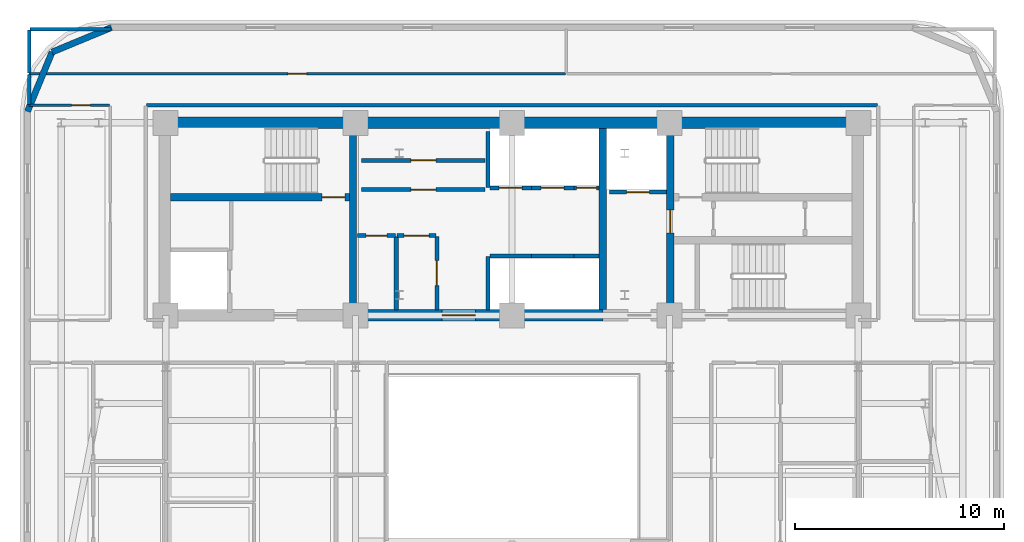
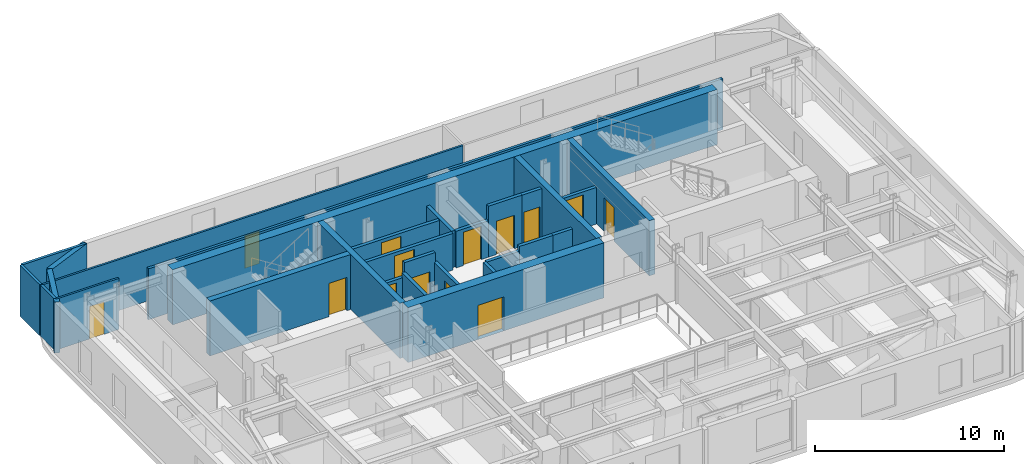
# One storey, part 8 of 13: 29 walls, 14 doors, 14 openings.
"""IFC4 building model written with IfcOpenShell, lengths in metres."""

from ifc_helpers import new_model, si_unit, direction, frame, frame_2d, origin, place, context, subcontext, project, spatial, rectangle, extrude, material, layer, layer_set, type_object, element, fill, save


model = new_model("IFC4")

# Units and contexts
model_context = context("Model", 3, precision=1e-05, world=origin(), true_north=direction((0.0, 1.0)))
body_context = subcontext(model_context, "Body", "Model", "MODEL_VIEW")
ifc_project = project(units=[si_unit("LENGTHUNIT", "METRE"), si_unit("AREAUNIT", "SQUARE_METRE"), si_unit("VOLUMEUNIT", "CUBIC_METRE"), si_unit("PLANEANGLEUNIT", "RADIAN"), si_unit("MASSUNIT", "GRAM", prefix="KILO")], contexts=[model_context])

# Site, building, storey
site_placement = place(None, origin())
site = spatial("IfcSite", under=ifc_project, at=site_placement, CompositionType="ELEMENT")
building_placement = place(site_placement, origin())
building = spatial("IfcBuilding", under=site, at=building_placement, Name="Zarnavel Station Tower", CompositionType="ELEMENT")
storey_placement = place(building_placement, frame((0.0, 0.0, 141.25)))
storey = spatial("IfcBuildingStorey", under=building, at=storey_placement, Name="L38", CompositionType="ELEMENT", Elevation=141.25)

# Walls
ifc_material_1 = material(Name="Concrete C50/60", Category="concrete")
ifc_layer_1 = layer(ifc_material_1, 0.35009765625)
ifc_layer_set_1 = layer_set([ifc_layer_1], Name="CW_350")
wall_type_1 = type_object("IfcWallType", Name="CW_350", PredefinedType="SHEAR", material=ifc_layer_set_1)
for number, where, z_axis, x_axis, name in (
    (1, (21.179931640625, 28.094970703125, 0.0), (0.0, 0.0, 1.0), (0.0, 1.0, 0.0), "L38 Rear Core Shear Wall DIV-W"),
    (2, (33.14990234375, 28.094970703125, 0.0), (0.0, 0.0, 1.0), (0.0, 1.0, 0.0), "L38 Rear Core Shear Wall DIV-E"),
):
    element("IfcWall", number, at=place(storey_placement, frame(where, z_axis=z_axis, x_axis=x_axis)), inside=storey, type_object=wall_type_1, Name=name, PredefinedType="SHEAR", context=body_context, shape_type="SweptSolid", body=[
        extrude(rectangle(XDim=8.679931640625, YDim=0.35009765625, at=frame_2d((4.33984375, 0.0))), origin(), (0.0, 0.0, 1.0), 3.550048828125),
    ])

# Wall, opening, door
wall_1_placement = place(storey_placement, frame((36.3798828125, 28.094970703125, 0.0), z_axis=(0.0, 0.0, 1.0), x_axis=(0.0, 1.0, 0.0)))
wall_1 = element("IfcWall", 3, at=wall_1_placement, inside=storey, type_object=wall_type_1, Name="L38 Rear Core Shear Wall DIV-S2", PredefinedType="SHEAR", context=body_context, shape_type="SweptSolid", body=[
    extrude(rectangle(XDim=8.679931640625, YDim=0.35009765625, at=frame_2d((4.33984375, 0.0))), origin(), (0.0, 0.0, 1.0), 3.550048828125),
])
opening_1_placement = place(wall_1_placement, frame((3.68505859375, 0.0, 0.0)))
opening_1 = element("IfcOpeningElement", 4, at=opening_1_placement, cuts=wall_1, Name="Opening FD01", PredefinedType="OPENING", context=body_context, shape_type="SweptSolid", body=[
    extrude(rectangle(XDim=1.10009765625, YDim=2.14990234375, at=frame_2d((0.550048828125, 1.074951171875))), frame((0.0, 0.18505859375, 0.0), z_axis=(0.0, -1.0, 0.0), x_axis=(1.0, 0.0, 0.0)), (0.0, 0.0, 1.0), 0.3701171875),
])
ifc_material_2 = material(Name="Painted Galvanised Steel and Hardwood Leaf", Category="steel")
door_type_1 = type_object("IfcDoorType", Name="ID_STAIR_1100", OperationType="NOTDEFINED", PredefinedType="DOOR", material=ifc_material_2)
door_1_placement = place(opening_1_placement, origin())
door_1 = element("IfcDoor", 5, at=door_1_placement, inside=storey, type_object=door_type_1, Name="L38 East Stair Vestibule Fire Door", OperationType="SINGLE_SWING_LEFT", OverallHeight=2.14990234375, OverallWidth=1.10009765625, PredefinedType="DOOR", context=body_context, shape_type="SweptSolid", body=[
    extrude(rectangle(XDim=1.10009765625, YDim=2.14990234375, at=frame_2d((0.550048828125, 1.074951171875))), frame((0.0, 0.02490234375, 0.0), z_axis=(0.0, -1.0, 0.0), x_axis=(1.0, 0.0, 0.0)), (0.0, 0.0, 1.0), 0.050048828125),
])
fill(opening_1, door_1)

wall_2_placement = place(storey_placement, frame((21.0048828125, 33.47998046875, 0.0), z_axis=(0.0, 0.0, 1.0), x_axis=(-1.0, 0.0, 0.0)))
wall_2 = element("IfcWall", 6, at=wall_2_placement, inside=storey, type_object=wall_type_1, Name="L38 Rear Core Shear Wall DIV-H1", PredefinedType="SHEAR", context=body_context, shape_type="SweptSolid", body=[
    extrude(rectangle(XDim=8.579833984375, YDim=0.35009765625, at=frame_2d((4.2900390625, 0.0))), origin(), (0.0, 0.0, 1.0), 3.550048828125),
])
opening_2_placement = place(wall_2_placement, frame((0.219970703125, 0.0, 0.0)))
opening_2 = element("IfcOpeningElement", 7, at=opening_2_placement, cuts=wall_2, Name="Opening FD01", PredefinedType="OPENING", context=body_context, shape_type="SweptSolid", body=[
    extrude(rectangle(XDim=1.10009765625, YDim=2.14990234375, at=frame_2d((0.550048828125, 1.074951171875))), frame((0.0, 0.18505859375, 0.0), z_axis=(0.0, -1.0, 0.0), x_axis=(1.0, 0.0, 0.0)), (0.0, 0.0, 1.0), 0.3701171875),
])
door_2_placement = place(opening_2_placement, origin())
door_2 = element("IfcDoor", 8, at=door_2_placement, inside=storey, type_object=door_type_1, Name="L38 Stair ST1 Lobby Fire Door", OperationType="SINGLE_SWING_LEFT", OverallHeight=2.14990234375, OverallWidth=1.10009765625, PredefinedType="DOOR", context=body_context, shape_type="SweptSolid", body=[
    extrude(rectangle(XDim=1.10009765625, YDim=2.14990234375, at=frame_2d((0.550048828125, 1.074951171875))), frame((0.0, 0.02490234375, 0.0), z_axis=(0.0, -1.0, 0.0), x_axis=(1.0, 0.0, 0.0)), (0.0, 0.0, 1.0), 0.050048828125),
])
fill(opening_2, door_2)

# Wall
ifc_material_3 = material(Name="Concrete C50/60", Category="concrete")
ifc_layer_2 = layer(ifc_material_3, 0.550048828125)
ifc_layer_set_2 = layer_set([ifc_layer_2], Name="CW_550")
wall_type_2 = type_object("IfcWallType", Name="CW_550", PredefinedType="SHEAR", material=ifc_layer_set_2)
wall_3_placement = place(storey_placement, frame((12.14990234375, 37.050048828125, 0.0), z_axis=(0.0, 0.0, 1.0), x_axis=(1.0, 0.0, 0.0)))
element("IfcWall", 9, at=wall_3_placement, inside=storey, type_object=wall_type_2, Name="L38 Rear Core Shear Wall N", PredefinedType="SHEAR", context=body_context, shape_type="SweptSolid", body=[
    extrude(rectangle(XDim=33.22998046875, YDim=0.550048828125, at=frame_2d((16.614990234375, 0.0))), origin(), (0.0, 0.0, 1.0), 3.550048828125),
])

# Wall, opening, door
wall_4_placement = place(storey_placement, frame((33.14990234375, 27.820068359375, 0.0), z_axis=(0.0, 0.0, 1.0), x_axis=(-1.0, 0.0, 0.0)))
wall_4 = element("IfcWall", 10, at=wall_4_placement, inside=storey, type_object=wall_type_2, Name="L38 Rear Core Shear Wall S-M", PredefinedType="SHEAR", context=body_context, shape_type="SweptSolid", body=[
    extrude(rectangle(XDim=11.969970703125, YDim=0.550048828125, at=frame_2d((5.98486328125, 0.0))), origin(), (0.0, 0.0, 1.0), 3.550048828125),
])
opening_3_placement = place(wall_4_placement, frame((6.10009765625, 0.0, 0.0)))
opening_3 = element("IfcOpeningElement", 11, at=opening_3_placement, cuts=wall_4, Name="Opening ID03", PredefinedType="OPENING", context=body_context, shape_type="SweptSolid", body=[
    extrude(rectangle(XDim=1.60009765625, YDim=2.199951171875, at=frame_2d((0.800048828125, 1.10009765625))), frame((0.0, 0.284912109375, 0.0), z_axis=(0.0, -1.0, 0.0), x_axis=(1.0, 0.0, 0.0)), (0.0, 0.0, 1.0), 0.570068359375),
])
ifc_material_4 = material(Name="Painted Galvanised Steel and Hardwood Leaf", Category="steel")
door_type_2 = type_object("IfcDoorType", Name="ID_PUBLIC_1600", OperationType="DOUBLE_DOOR_SINGLE_SWING", PredefinedType="DOOR", material=ifc_material_4)
door_3_placement = place(opening_3_placement, origin())
door_3 = element("IfcDoor", 12, at=door_3_placement, inside=storey, type_object=door_type_2, Name="L38 Passenger Lift Lobby Double Door", OperationType="SINGLE_SWING_LEFT", OverallHeight=2.199951171875, OverallWidth=1.60009765625, PredefinedType="DOOR", context=body_context, shape_type="SweptSolid", body=[
    extrude(rectangle(XDim=1.60009765625, YDim=2.199951171875, at=frame_2d((0.800048828125, 1.10009765625))), frame((0.0, 0.02490234375, 0.0), z_axis=(0.0, -1.0, 0.0), x_axis=(1.0, 0.0, 0.0)), (0.0, 0.0, 1.0), 0.050048828125),
])
fill(opening_3, door_3)

# Walls
ifc_material_5 = material(Name="Precast concrete C45/55 (Dark Basalt Finish)", Category="masonry")
ifc_layer_3 = layer(ifc_material_5, 0.300048828125)
ifc_layer_set_3 = layer_set([ifc_layer_3], Name="EW_BASALT_300")
wall_type_3 = type_object("IfcWallType", Name="EW_BASALT_300", PredefinedType="SOLIDWALL", material=ifc_layer_set_3)
wall_5_placement = place(storey_placement, frame((6.75732421875, 40.442626953125, 0.0), z_axis=(0.0, 0.0, 1.0), x_axis=(0.923882414032, 0.382676475685, 0.0)))
element("IfcWall", 13, at=wall_5_placement, inside=storey, type_object=wall_type_3, Name="L38 Exterior Basalt Masonry Frame Wall 07", PredefinedType="SOLIDWALL", context=body_context, shape_type="SweptSolid", body=[
    extrude(rectangle(XDim=3.076904296875, YDim=0.300048828125, at=frame_2d((1.53857421875, 0.0))), origin(), (0.0, 0.0, 1.0), 3.2900390625),
])
wall_6_placement = place(storey_placement, frame((5.580078125, 37.60009765625, 0.0), z_axis=(0.0, 0.0, 1.0), x_axis=(0.382636798336, 0.92389884758, 0.0)))
element("IfcWall", 14, at=wall_6_placement, inside=storey, type_object=wall_type_3, Name="L38 Exterior Basalt Masonry Frame Wall 08", PredefinedType="SOLIDWALL", context=body_context, shape_type="SweptSolid", body=[
    extrude(rectangle(XDim=3.07666015625, YDim=0.300048828125, at=frame_2d((1.538330078125, 0.0))), origin(), (0.0, 0.0, 1.0), 3.2900390625),
])
ifc_material_6 = material(Name="Gypsum Twin-Stud Acoustic Fire Partition", Category="concrete")
ifc_layer_4 = layer(ifc_material_6, 0.159912109375)
ifc_layer_set_4 = layer_set([ifc_layer_4], Name="PT_DEMISE_160")
wall_type_4 = type_object("IfcWallType", Name="PT_DEMISE_160", PredefinedType="PARTITIONING", material=ifc_layer_set_4)
wall_7_placement = place(storey_placement, frame((11.280029296875, 37.89990234375, 0.0), z_axis=(0.0, 0.0, 1.0), x_axis=(1.0, 0.0, 0.0)))
element("IfcWall", 15, at=wall_7_placement, inside=storey, type_object=wall_type_4, Name="L38 Enclosure Wall COR-N", PredefinedType="PARTITIONING", context=body_context, shape_type="SweptSolid", body=[
    extrude(rectangle(XDim=35.0400390625, YDim=0.159912109375, at=frame_2d((17.52001953125, 0.0))), origin(), (0.0, 0.0, 1.0), 3.2900390625),
])
wall_8_placement = place(storey_placement, frame((5.659912109375, 37.929931640625, 0.0), z_axis=(0.0, 0.0, 1.0), x_axis=(0.0, 1.0, 0.0)))
element("IfcWall", 16, at=wall_8_placement, inside=storey, type_object=wall_type_4, Name="L38 Enclosure Wall COR-N", PredefinedType="PARTITIONING", context=body_context, shape_type="SweptSolid", body=[
    extrude(rectangle(XDim=1.440185546875, YDim=0.159912109375, at=frame_2d((0.72021484375, 0.0))), origin(), (0.0, 0.0, 1.0), 3.2900390625),
])
wall_9_placement = place(storey_placement, frame((5.68994140625, 41.5400390625, 0.0), z_axis=(0.0, 0.0, 1.0), x_axis=(1.0, 0.0, 0.0)))
element("IfcWall", 17, at=wall_9_placement, inside=storey, type_object=wall_type_4, Name="L38 Enclosure Wall NGYM", PredefinedType="PARTITIONING", context=body_context, shape_type="SweptSolid", body=[
    extrude(rectangle(XDim=3.880126953125, YDim=0.159912109375, at=frame_2d((1.93994140625, 0.0))), origin(), (0.0, 0.0, 1.0), 3.2900390625),
])
wall_10_placement = place(storey_placement, frame((5.659912109375, 39.429931640625, 0.0), z_axis=(0.0, 0.0, 1.0), x_axis=(0.0, 1.0, 0.0)))
element("IfcWall", 18, at=wall_10_placement, inside=storey, type_object=wall_type_4, Name="L38 Enclosure Wall NGYM", PredefinedType="PARTITIONING", context=body_context, shape_type="SweptSolid", body=[
    extrude(rectangle(XDim=2.080078125, YDim=0.159912109375, at=frame_2d((1.0400390625, 0.0))), origin(), (0.0, 0.0, 1.0), 3.2900390625),
])

# Wall, opening, door
ifc_material_7 = material(Name="Gypsum Metal-Stud Interior Partition", Category="concrete")
ifc_layer_5 = layer(ifc_material_7, 0.1201171875)
ifc_layer_set_5 = layer_set([ifc_layer_5], Name="PT_ROOM_120")
wall_type_5 = type_object("IfcWallType", Name="PT_ROOM_120", PredefinedType="PARTITIONING", material=ifc_layer_set_5)
wall_11_placement = place(storey_placement, frame((5.659912109375, 37.89990234375, 0.0), z_axis=(0.0, 0.0, 1.0), x_axis=(1.0, 0.0, 0.0)))
wall_11 = element("IfcWall", 19, at=wall_11_placement, inside=storey, type_object=wall_type_5, Name="L38 Partition COR-N-FNW", PredefinedType="PARTITIONING", context=body_context, shape_type="SweptSolid", body=[
    extrude(rectangle(XDim=3.85009765625, YDim=0.1201171875, at=frame_2d((1.925048828125, 0.0))), origin(), (0.0, 0.0, 1.0), 3.2900390625),
])
opening_4_placement = place(wall_11_placement, frame((2.03125, 0.0, 0.0)))
opening_4 = element("IfcOpeningElement", 20, at=opening_4_placement, cuts=wall_11, Name="Opening ID01", PredefinedType="OPENING", context=body_context, shape_type="SweptSolid", body=[
    extrude(rectangle(XDim=0.89990234375, YDim=2.10009765625, at=frame_2d((0.449951171875, 1.050048828125))), frame((0.0, 0.070068359375, 0.0), z_axis=(0.0, -1.0, 0.0), x_axis=(1.0, 0.0, 0.0)), (0.0, 0.0, 1.0), 0.14013671875),
])
ifc_material_8 = material(Name="Painted Galvanised Steel and Hardwood Leaf", Category="steel")
door_type_3 = type_object("IfcDoorType", Name="ID_ROOM_900", OperationType="NOTDEFINED", PredefinedType="DOOR", material=ifc_material_8)
door_4_placement = place(opening_4_placement, origin())
door_4 = element("IfcDoor", 21, at=door_4_placement, inside=storey, type_object=door_type_3, Name="L38 Door COR-N-FNW", OperationType="SINGLE_SWING_LEFT", OverallHeight=2.10009765625, OverallWidth=0.89990234375, PredefinedType="DOOR", context=body_context, shape_type="SweptSolid", body=[
    extrude(rectangle(XDim=0.89990234375, YDim=2.10009765625, at=frame_2d((0.449951171875, 1.050048828125))), frame((0.0, 0.02490234375, 0.0), z_axis=(0.0, -1.0, 0.0), x_axis=(1.0, 0.0, 0.0)), (0.0, 0.0, 1.0), 0.050048828125),
])
fill(opening_4, door_4)

wall_12_placement = place(storey_placement, frame((5.659912109375, 39.39990234375, 0.0), z_axis=(0.0, 0.0, 1.0), x_axis=(1.0, 0.0, 0.0)))
wall_12 = element("IfcWall", 22, at=wall_12_placement, inside=storey, type_object=wall_type_5, Name="L38 Partition COR-N-NGYM", PredefinedType="PARTITIONING", context=body_context, shape_type="SweptSolid", body=[
    extrude(rectangle(XDim=25.7001953125, YDim=0.1201171875, at=frame_2d((12.85009765625, 0.0))), origin(), (0.0, 0.0, 1.0), 3.2900390625),
])
opening_5_placement = place(wall_12_placement, frame((12.39990234375, 0.0, 0.0)))
opening_5 = element("IfcOpeningElement", 23, at=opening_5_placement, cuts=wall_12, Name="Opening ID01", PredefinedType="OPENING", context=body_context, shape_type="SweptSolid", body=[
    extrude(rectangle(XDim=0.89990234375, YDim=2.10009765625, at=frame_2d((0.449951171875, 1.050048828125))), frame((0.0, 0.070068359375, 0.0), z_axis=(0.0, -1.0, 0.0), x_axis=(1.0, 0.0, 0.0)), (0.0, 0.0, 1.0), 0.14013671875),
])
door_5_placement = place(opening_5_placement, origin())
door_5 = element("IfcDoor", 24, at=door_5_placement, inside=storey, type_object=door_type_3, Name="L38 Door COR-N-NGYM", OperationType="SINGLE_SWING_LEFT", OverallHeight=2.10009765625, OverallWidth=0.89990234375, PredefinedType="DOOR", context=body_context, shape_type="SweptSolid", body=[
    extrude(rectangle(XDim=0.89990234375, YDim=2.10009765625, at=frame_2d((0.449951171875, 1.050048828125))), frame((0.0, 0.02490234375, 0.0), z_axis=(0.0, -1.0, 0.0), x_axis=(1.0, 0.0, 0.0)), (0.0, 0.0, 1.0), 0.050048828125),
])
fill(opening_5, door_5)

ifc_material_9 = material(Name="Precast concrete C45/55 (Fire Shaft Blockwork)", Category="masonry")
ifc_layer_6 = layer(ifc_material_9, 0.199951171875)
ifc_layer_set_6 = layer_set([ifc_layer_6], Name="PT_SHAFT_200")
wall_type_6 = type_object("IfcWallType", Name="PT_SHAFT_200", PredefinedType="PARTITIONING", material=ifc_layer_set_6)
wall_13_placement = place(storey_placement, frame((33.47509765625, 33.72998046875, 0.0), z_axis=(0.0, 0.0, 1.0), x_axis=(1.0, 0.0, 0.0)))
wall_13 = element("IfcWall", 25, at=wall_13_placement, inside=storey, type_object=wall_type_6, Name="L38 Lift FFL-02 Shaft Front Wall", PredefinedType="PARTITIONING", context=body_context, shape_type="SweptSolid", body=[
    extrude(rectangle(XDim=2.724853515625, YDim=0.199951171875, at=frame_2d((1.3623046875, 0.0))), origin(), (0.0, 0.0, 1.0), 2.360107421875),
])
opening_6_placement = place(wall_13_placement, frame((0.8125, 0.0, 0.0)))
opening_6 = element("IfcOpeningElement", 26, at=opening_6_placement, cuts=wall_13, Name="Opening LD01", PredefinedType="OPENING", context=body_context, shape_type="SweptSolid", body=[
    extrude(rectangle(XDim=1.10009765625, YDim=2.14990234375, at=frame_2d((0.550048828125, 1.074951171875))), frame((0.0, 0.10986328125, 0.0), z_axis=(0.0, -1.0, 0.0), x_axis=(1.0, 0.0, 0.0)), (0.0, 0.0, 1.0), 0.219970703125),
])
ifc_material_10 = material(Name="Painted Galvanised Steel and Hardwood Leaf", Category="steel")
door_type_4 = type_object("IfcDoorType", Name="LD_FF_1100", OperationType="DOUBLE_DOOR_SLIDING", PredefinedType="DOOR", material=ifc_material_10)
door_6_placement = place(opening_6_placement, origin())
door_6 = element("IfcDoor", 27, at=door_6_placement, inside=storey, type_object=door_type_4, Name="L38 Lift FFL-02 Sliding Landing Door", OperationType="DOUBLE_DOOR_SLIDING", OverallHeight=2.14990234375, OverallWidth=1.10009765625, PredefinedType="DOOR", context=body_context, shape_type="SweptSolid", body=[
    extrude(rectangle(XDim=1.10009765625, YDim=2.14990234375, at=frame_2d((0.550048828125, 1.074951171875))), frame((0.0, 0.02490234375, 0.0), z_axis=(0.0, -1.0, 0.0), x_axis=(1.0, 0.0, 0.0)), (0.0, 0.0, 1.0), 0.050048828125),
])
fill(opening_6, door_6)

# Walls
wall_14_placement = place(storey_placement, frame((27.75, 30.669921875, 0.0), z_axis=(0.0, 0.0, 1.0), x_axis=(1.0, 0.0, 0.0)))
element("IfcWall", 28, at=wall_14_placement, inside=storey, type_object=wall_type_6, Name="L38 Lift PL-H1 Shaft Front Wall", PredefinedType="PARTITIONING", context=body_context, shape_type="SweptSolid", body=[
    extrude(rectangle(XDim=1.97509765625, YDim=0.199951171875, at=frame_2d((0.987548828125, 0.0))), origin(), (0.0, 0.0, 1.0), 2.360107421875),
])
wall_15_placement = place(storey_placement, frame((27.64990234375, 28.070068359375, 0.0), z_axis=(0.0, 0.0, 1.0), x_axis=(0.0, 1.0, 0.0)))
element("IfcWall", 29, at=wall_15_placement, inside=storey, type_object=wall_type_6, Name="L38 High-Rise Lift Bank West Shaft Wall", PredefinedType="PARTITIONING", context=body_context, shape_type="SweptSolid", body=[
    extrude(rectangle(XDim=2.579833984375, YDim=0.199951171875, at=frame_2d((1.2900390625, 0.0))), origin(), (0.0, 0.0, 1.0), 2.360107421875),
])
wall_16_placement = place(storey_placement, frame((29.72509765625, 30.669921875, 0.0), z_axis=(0.0, 0.0, 1.0), x_axis=(1.0, 0.0, 0.0)))
element("IfcWall", 30, at=wall_16_placement, inside=storey, type_object=wall_type_6, Name="L38 Lift PL-H2 Shaft Front Wall", PredefinedType="PARTITIONING", context=body_context, shape_type="SweptSolid", body=[
    extrude(rectangle(XDim=2.0498046875, YDim=0.199951171875, at=frame_2d((1.02490234375, 0.0))), origin(), (0.0, 0.0, 1.0), 2.669921875),
])
wall_17_placement = place(storey_placement, frame((31.77490234375, 30.669921875, 0.0), z_axis=(0.0, 0.0, 1.0), x_axis=(1.0, 0.0, 0.0)))
element("IfcWall", 31, at=wall_17_placement, inside=storey, type_object=wall_type_6, Name="L38 Lift PL-H3 Shaft Front Wall", PredefinedType="PARTITIONING", context=body_context, shape_type="SweptSolid", body=[
    extrude(rectangle(XDim=1.2001953125, YDim=0.199951171875, at=frame_2d((0.60009765625, 0.0))), origin(), (0.0, 0.0, 1.0), 2.669921875),
])

# Wall, opening, door
wall_18_placement = place(storey_placement, frame((27.75, 33.929931640625, 0.0), z_axis=(0.0, 0.0, 1.0), x_axis=(1.0, 0.0, 0.0)))
wall_18 = element("IfcWall", 32, at=wall_18_placement, inside=storey, type_object=wall_type_6, Name="L38 Lift PL-M1 Shaft Front Wall", PredefinedType="PARTITIONING", context=body_context, shape_type="SweptSolid", body=[
    extrude(rectangle(XDim=1.97509765625, YDim=0.199951171875, at=frame_2d((0.987548828125, 0.0))), origin(), (0.0, 0.0, 1.0), 2.360107421875),
])
opening_7_placement = place(wall_18_placement, frame((0.4375, 0.0, 0.0)))
opening_7 = element("IfcOpeningElement", 33, at=opening_7_placement, cuts=wall_18, Name="Opening LD02", PredefinedType="OPENING", context=body_context, shape_type="SweptSolid", body=[
    extrude(rectangle(XDim=1.10009765625, YDim=2.14990234375, at=frame_2d((0.550048828125, 1.074951171875))), frame((0.0, 0.10986328125, 0.0), z_axis=(0.0, -1.0, 0.0), x_axis=(1.0, 0.0, 0.0)), (0.0, 0.0, 1.0), 0.219970703125),
])
ifc_material_11 = material(Name="Painted Galvanised Steel and Hardwood Leaf", Category="steel")
door_type_5 = type_object("IfcDoorType", Name="LD_PAX_1100", OperationType="DOUBLE_DOOR_SLIDING", PredefinedType="DOOR", material=ifc_material_11)
door_7_placement = place(opening_7_placement, origin())
door_7 = element("IfcDoor", 34, at=door_7_placement, inside=storey, type_object=door_type_5, Name="L38 Lift PL-M1 Sliding Landing Door", OperationType="DOUBLE_DOOR_SLIDING", OverallHeight=2.14990234375, OverallWidth=1.10009765625, PredefinedType="DOOR", context=body_context, shape_type="SweptSolid", body=[
    extrude(rectangle(XDim=1.10009765625, YDim=2.14990234375, at=frame_2d((0.550048828125, 1.074951171875))), frame((0.0, 0.02490234375, 0.0), z_axis=(0.0, -1.0, 0.0), x_axis=(1.0, 0.0, 0.0)), (0.0, 0.0, 1.0), 0.050048828125),
])
fill(opening_7, door_7)

# Wall
wall_19_placement = place(storey_placement, frame((27.64990234375, 33.949951171875, 0.0), z_axis=(0.0, 0.0, 1.0), x_axis=(0.0, 1.0, 0.0)))
element("IfcWall", 35, at=wall_19_placement, inside=storey, type_object=wall_type_6, Name="L38 Mid-Rise Lift Bank West Shaft Wall", PredefinedType="PARTITIONING", context=body_context, shape_type="SweptSolid", body=[
    extrude(rectangle(XDim=2.679931640625, YDim=0.199951171875, at=frame_2d((1.33984375, 0.0))), origin(), (0.0, 0.0, 1.0), 2.360107421875),
])

# Wall, opening, door
wall_20_placement = place(storey_placement, frame((29.72509765625, 33.929931640625, 0.0), z_axis=(0.0, 0.0, 1.0), x_axis=(1.0, 0.0, 0.0)))
wall_20 = element("IfcWall", 36, at=wall_20_placement, inside=storey, type_object=wall_type_6, Name="L38 Lift PL-M2 Shaft Front Wall", PredefinedType="PARTITIONING", context=body_context, shape_type="SweptSolid", body=[
    extrude(rectangle(XDim=2.0498046875, YDim=0.199951171875, at=frame_2d((1.02490234375, 0.0))), origin(), (0.0, 0.0, 1.0), 3.2900390625),
])
opening_8_placement = place(wall_20_placement, frame((0.47509765625, 0.0, 0.0)))
opening_8 = element("IfcOpeningElement", 37, at=opening_8_placement, cuts=wall_20, Name="Opening LD02", PredefinedType="OPENING", context=body_context, shape_type="SweptSolid", body=[
    extrude(rectangle(XDim=1.10009765625, YDim=2.14990234375, at=frame_2d((0.550048828125, 1.074951171875))), frame((0.0, 0.10986328125, 0.0), z_axis=(0.0, -1.0, 0.0), x_axis=(1.0, 0.0, 0.0)), (0.0, 0.0, 1.0), 0.219970703125),
])
door_8_placement = place(opening_8_placement, origin())
door_8 = element("IfcDoor", 38, at=door_8_placement, inside=storey, type_object=door_type_5, Name="L38 Lift PL-M2 Sliding Landing Door", OperationType="DOUBLE_DOOR_SLIDING", OverallHeight=2.14990234375, OverallWidth=1.10009765625, PredefinedType="DOOR", context=body_context, shape_type="SweptSolid", body=[
    extrude(rectangle(XDim=1.10009765625, YDim=2.14990234375, at=frame_2d((0.550048828125, 1.074951171875))), frame((0.0, 0.02490234375, 0.0), z_axis=(0.0, -1.0, 0.0), x_axis=(1.0, 0.0, 0.0)), (0.0, 0.0, 1.0), 0.050048828125),
])
fill(opening_8, door_8)

wall_21_placement = place(storey_placement, frame((31.77490234375, 33.929931640625, 0.0), z_axis=(0.0, 0.0, 1.0), x_axis=(1.0, 0.0, 0.0)))
wall_21 = element("IfcWall", 39, at=wall_21_placement, inside=storey, type_object=wall_type_6, Name="L38 Lift PL-M3 Shaft Front Wall", PredefinedType="PARTITIONING", context=body_context, shape_type="SweptSolid", body=[
    extrude(rectangle(XDim=1.2001953125, YDim=0.199951171875, at=frame_2d((0.60009765625, 0.0))), origin(), (0.0, 0.0, 1.0), 3.2900390625),
])
opening_9_placement = place(wall_21_placement, frame((0.125, 0.0, 0.0)))
opening_9 = element("IfcOpeningElement", 40, at=opening_9_placement, cuts=wall_21, Name="Opening LD03", PredefinedType="OPENING", context=body_context, shape_type="SweptSolid", body=[
    extrude(rectangle(XDim=0.949951171875, YDim=2.14990234375, at=frame_2d((0.47509765625, 1.074951171875))), frame((0.0, 0.10986328125, 0.0), z_axis=(0.0, -1.0, 0.0), x_axis=(1.0, 0.0, 0.0)), (0.0, 0.0, 1.0), 0.219970703125),
])
ifc_material_12 = material(Name="Painted Galvanised Steel and Hardwood Leaf", Category="steel")
door_type_6 = type_object("IfcDoorType", Name="LD_PAX_0950", OperationType="DOUBLE_DOOR_SLIDING", PredefinedType="DOOR", material=ifc_material_12)
door_9_placement = place(opening_9_placement, origin())
door_9 = element("IfcDoor", 41, at=door_9_placement, inside=storey, type_object=door_type_6, Name="L38 Lift PL-M3 Sliding Landing Door", OperationType="DOUBLE_DOOR_SLIDING", OverallHeight=2.14990234375, OverallWidth=0.949951171875, PredefinedType="DOOR", context=body_context, shape_type="SweptSolid", body=[
    extrude(rectangle(XDim=0.949951171875, YDim=2.14990234375, at=frame_2d((0.47509765625, 1.074951171875))), frame((0.0, 0.02490234375, 0.0), z_axis=(0.0, -1.0, 0.0), x_axis=(1.0, 0.0, 0.0)), (0.0, 0.0, 1.0), 0.050048828125),
])
fill(opening_9, door_9)

wall_22_placement = place(storey_placement, frame((21.39990234375, 31.64990234375, 0.0), z_axis=(0.0, 0.0, 1.0), x_axis=(1.0, 0.0, 0.0)))
wall_22 = element("IfcWall", 42, at=wall_22_placement, inside=storey, type_object=wall_type_6, Name="L38 Partition LLOB-CS1", PredefinedType="PARTITIONING", context=body_context, shape_type="SweptSolid", body=[
    extrude(rectangle(XDim=1.81005859375, YDim=0.199951171875, at=frame_2d((0.905029296875, 0.0))), origin(), (0.0, 0.0, 1.0), 2.360107421875),
])
opening_10_placement = place(wall_22_placement, frame((0.405029296875, 0.0, 0.0)))
opening_10 = element("IfcOpeningElement", 43, at=opening_10_placement, cuts=wall_22, Name="Opening FD02", PredefinedType="OPENING", context=body_context, shape_type="SweptSolid", body=[
    extrude(rectangle(XDim=1.0, YDim=2.14990234375, at=frame_2d((0.5, 1.074951171875))), frame((0.0, 0.10986328125, 0.0), z_axis=(0.0, -1.0, 0.0), x_axis=(1.0, 0.0, 0.0)), (0.0, 0.0, 1.0), 0.219970703125),
])
ifc_material_13 = material(Name="Painted Galvanised Steel and Hardwood Leaf", Category="steel")
door_type_7 = type_object("IfcDoorType", Name="ID_ENTRY_1000", OperationType="NOTDEFINED", PredefinedType="DOOR", material=ifc_material_13)
door_10_placement = place(opening_10_placement, origin())
door_10 = element("IfcDoor", 44, at=door_10_placement, inside=storey, type_object=door_type_7, Name="L38 Door LLOB-CS1", OperationType="SINGLE_SWING_RIGHT", OverallHeight=2.14990234375, OverallWidth=1.0, PredefinedType="DOOR", context=body_context, shape_type="SweptSolid", body=[
    extrude(rectangle(XDim=1.0, YDim=2.14990234375, at=frame_2d((0.5, 1.074951171875))), frame((0.0, 0.02490234375, 0.0), z_axis=(0.0, -1.0, 0.0), x_axis=(1.0, 0.0, 0.0)), (0.0, 0.0, 1.0), 0.050048828125),
])
fill(opening_10, door_10)

wall_23_placement = place(storey_placement, frame((23.2900390625, 31.64990234375, 0.0), z_axis=(0.0, 0.0, 1.0), x_axis=(1.0, 0.0, 0.0)))
wall_23 = element("IfcWall", 45, at=wall_23_placement, inside=storey, type_object=wall_type_6, Name="L38 Partition LLOB-CS2", PredefinedType="PARTITIONING", context=body_context, shape_type="SweptSolid", body=[
    extrude(rectangle(XDim=1.869873046875, YDim=0.199951171875, at=frame_2d((0.93505859375, 0.0))), origin(), (0.0, 0.0, 1.0), 3.2900390625),
])
opening_11_placement = place(wall_23_placement, frame((0.3349609375, 0.0, 0.0)))
opening_11 = element("IfcOpeningElement", 46, at=opening_11_placement, cuts=wall_23, Name="Opening FD03", PredefinedType="OPENING", context=body_context, shape_type="SweptSolid", body=[
    extrude(rectangle(XDim=1.199951171875, YDim=2.14990234375, at=frame_2d((0.60009765625, 1.074951171875))), frame((0.0, 0.10986328125, 0.0), z_axis=(0.0, -1.0, 0.0), x_axis=(1.0, 0.0, 0.0)), (0.0, 0.0, 1.0), 0.219970703125),
])
ifc_material_14 = material(Name="Painted Galvanised Steel and Hardwood Leaf", Category="steel")
door_type_8 = type_object("IfcDoorType", Name="ID_PLANT_1200", OperationType="NOTDEFINED", PredefinedType="DOOR", material=ifc_material_14)
door_11_placement = place(opening_11_placement, origin())
door_11 = element("IfcDoor", 47, at=door_11_placement, inside=storey, type_object=door_type_8, Name="L38 Door LLOB-CS2", OperationType="SINGLE_SWING_LEFT", OverallHeight=2.14990234375, OverallWidth=1.199951171875, PredefinedType="DOOR", context=body_context, shape_type="SweptSolid", body=[
    extrude(rectangle(XDim=1.199951171875, YDim=2.14990234375, at=frame_2d((0.60009765625, 1.074951171875))), frame((0.0, 0.02490234375, 0.0), z_axis=(0.0, -1.0, 0.0), x_axis=(1.0, 0.0, 0.0)), (0.0, 0.0, 1.0), 0.050048828125),
])
fill(opening_11, door_11)

wall_24_placement = place(storey_placement, frame((21.590087890625, 33.85009765625, 0.0), z_axis=(0.0, 0.0, 1.0), x_axis=(1.0, 0.0, 0.0)))
wall_24 = element("IfcWall", 48, at=wall_24_placement, inside=storey, type_object=wall_type_6, Name="L38 Partition LLOB-FB1A", PredefinedType="PARTITIONING", context=body_context, shape_type="SweptSolid", body=[
    extrude(rectangle(XDim=5.919921875, YDim=0.199951171875, at=frame_2d((2.9599609375, 0.0))), origin(), (0.0, 0.0, 1.0), 2.360107421875),
])
opening_12_placement = place(wall_24_placement, frame((2.360107421875, 0.0, 0.0)))
opening_12 = element("IfcOpeningElement", 49, at=opening_12_placement, cuts=wall_24, Name="Opening FD03", PredefinedType="OPENING", context=body_context, shape_type="SweptSolid", body=[
    extrude(rectangle(XDim=1.199951171875, YDim=2.14990234375, at=frame_2d((0.60009765625, 1.074951171875))), frame((0.0, 0.10986328125, 0.0), z_axis=(0.0, -1.0, 0.0), x_axis=(1.0, 0.0, 0.0)), (0.0, 0.0, 1.0), 0.219970703125),
])
door_12_placement = place(opening_12_placement, origin())
door_12 = element("IfcDoor", 50, at=door_12_placement, inside=storey, type_object=door_type_8, Name="L38 Door LLOB-FB1A", OperationType="SINGLE_SWING_RIGHT", OverallHeight=2.14990234375, OverallWidth=1.199951171875, PredefinedType="DOOR", context=body_context, shape_type="SweptSolid", body=[
    extrude(rectangle(XDim=1.199951171875, YDim=2.14990234375, at=frame_2d((0.60009765625, 1.074951171875))), frame((0.0, 0.02490234375, 0.0), z_axis=(0.0, -1.0, 0.0), x_axis=(1.0, 0.0, 0.0)), (0.0, 0.0, 1.0), 0.050048828125),
])
fill(opening_12, door_12)

wall_25_placement = place(storey_placement, frame((25.199951171875, 28.090087890625, 0.0), z_axis=(0.0, 0.0, 1.0), x_axis=(0.0, 1.0, 0.0)))
wall_25 = element("IfcWall", 51, at=wall_25_placement, inside=storey, type_object=wall_type_6, Name="L38 Partition LLOBS-CS2", PredefinedType="PARTITIONING", context=body_context, shape_type="SweptSolid", body=[
    extrude(rectangle(XDim=3.52001953125, YDim=0.199951171875, at=frame_2d((1.760009765625, 0.0))), origin(), (0.0, 0.0, 1.0), 2.669921875),
])
opening_13_placement = place(wall_25_placement, frame((1.159912109375, 0.0, 0.0)))
opening_13 = element("IfcOpeningElement", 52, at=opening_13_placement, cuts=wall_25, Name="Opening FD03", PredefinedType="OPENING", context=body_context, shape_type="SweptSolid", body=[
    extrude(rectangle(XDim=1.199951171875, YDim=2.14990234375, at=frame_2d((0.60009765625, 1.074951171875))), frame((0.0, 0.10986328125, 0.0), z_axis=(0.0, -1.0, 0.0), x_axis=(1.0, 0.0, 0.0)), (0.0, 0.0, 1.0), 0.219970703125),
])
door_13_placement = place(opening_13_placement, origin())
door_13 = element("IfcDoor", 53, at=door_13_placement, inside=storey, type_object=door_type_8, Name="L38 Door LLOBS-CS2", OperationType="SINGLE_SWING_LEFT", OverallHeight=2.14990234375, OverallWidth=1.199951171875, PredefinedType="DOOR", context=body_context, shape_type="SweptSolid", body=[
    extrude(rectangle(XDim=1.199951171875, YDim=2.14990234375, at=frame_2d((0.60009765625, 1.074951171875))), frame((0.0, 0.02490234375, 0.0), z_axis=(0.0, -1.0, 0.0), x_axis=(1.0, 0.0, 0.0)), (0.0, 0.0, 1.0), 0.050048828125),
])
fill(opening_13, door_13)

# Wall
wall_26_placement = place(storey_placement, frame((23.25, 28.090087890625, 0.0), z_axis=(0.0, 0.0, 1.0), x_axis=(0.0, 1.0, 0.0)))
element("IfcWall", 54, at=wall_26_placement, inside=storey, type_object=wall_type_6, Name="L38 Partition CS1-CS2", PredefinedType="PARTITIONING", context=body_context, shape_type="SweptSolid", body=[
    extrude(rectangle(XDim=3.52001953125, YDim=0.199951171875, at=frame_2d((1.760009765625, 0.0))), origin(), (0.0, 0.0, 1.0), 2.669921875),
])

# Wall, opening, door
wall_27_placement = place(storey_placement, frame((21.590087890625, 35.25, 0.0), z_axis=(0.0, 0.0, 1.0), x_axis=(1.0, 0.0, 0.0)))
wall_27 = element("IfcWall", 55, at=wall_27_placement, inside=storey, type_object=wall_type_6, Name="L38 Partition FB1A-FB1B", PredefinedType="PARTITIONING", context=body_context, shape_type="SweptSolid", body=[
    extrude(rectangle(XDim=5.919921875, YDim=0.199951171875, at=frame_2d((2.9599609375, 0.0))), origin(), (0.0, 0.0, 1.0), 2.360107421875),
])
opening_14_placement = place(wall_27_placement, frame((2.360107421875, 0.0, 0.0)))
opening_14 = element("IfcOpeningElement", 56, at=opening_14_placement, cuts=wall_27, Name="Opening FD03", PredefinedType="OPENING", context=body_context, shape_type="SweptSolid", body=[
    extrude(rectangle(XDim=1.199951171875, YDim=2.14990234375, at=frame_2d((0.60009765625, 1.074951171875))), frame((0.0, 0.10986328125, 0.0), z_axis=(0.0, -1.0, 0.0), x_axis=(1.0, 0.0, 0.0)), (0.0, 0.0, 1.0), 0.219970703125),
])
door_14_placement = place(opening_14_placement, origin())
door_14 = element("IfcDoor", 57, at=door_14_placement, inside=storey, type_object=door_type_8, Name="L38 Door FB1A-FB1B", OperationType="SINGLE_SWING_RIGHT", OverallHeight=2.14990234375, OverallWidth=1.199951171875, PredefinedType="DOOR", context=body_context, shape_type="SweptSolid", body=[
    extrude(rectangle(XDim=1.199951171875, YDim=2.14990234375, at=frame_2d((0.60009765625, 1.074951171875))), frame((0.0, 0.02490234375, 0.0), z_axis=(0.0, -1.0, 0.0), x_axis=(1.0, 0.0, 0.0)), (0.0, 0.0, 1.0), 0.050048828125),
])
fill(opening_14, door_14)

save(model, "model.ifc")
